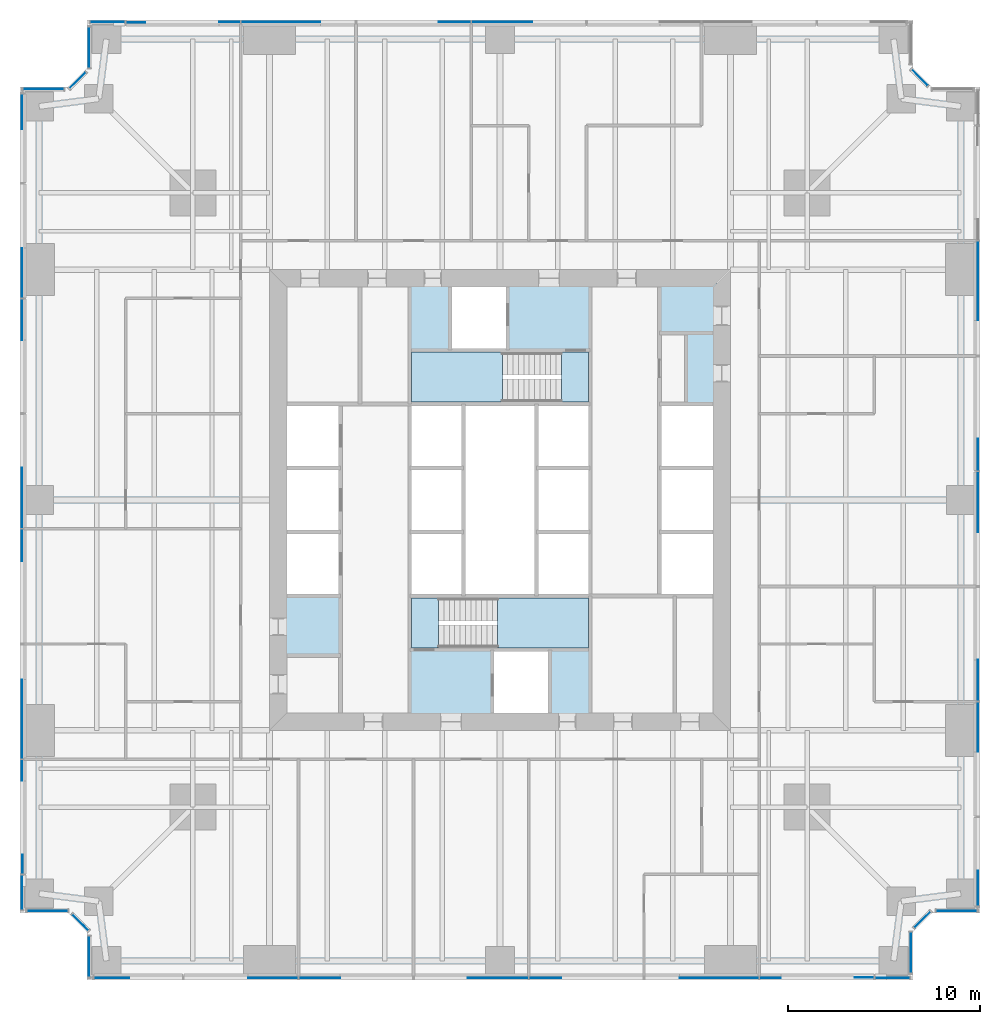
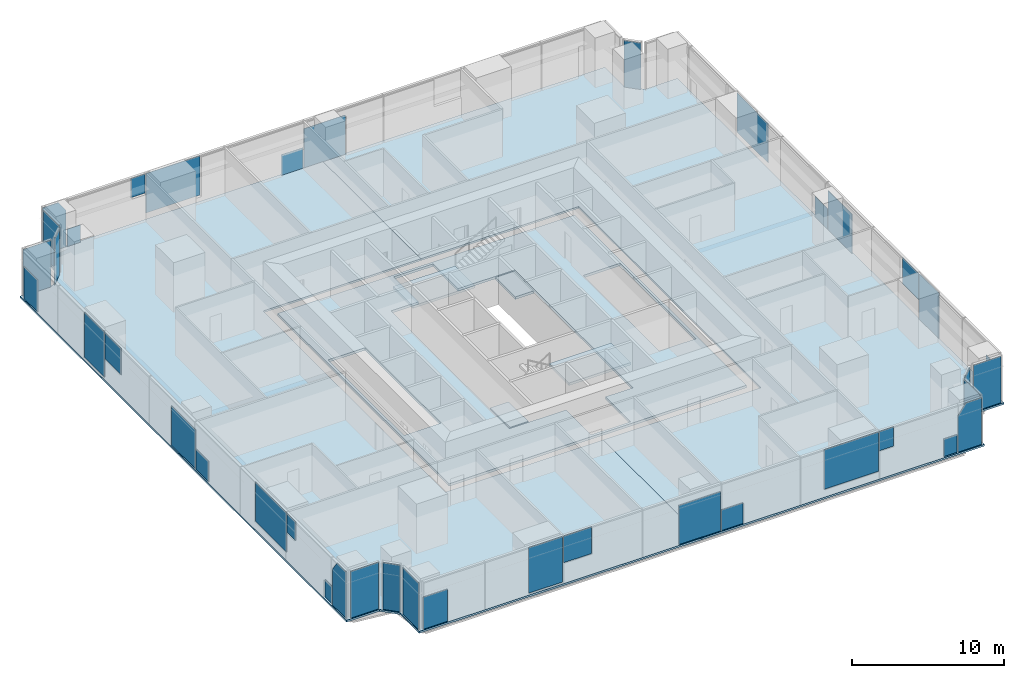
# One storey, part 8 of 14: 40 plates, 7 slabs, 16 elements without a shape of their own.
"""IFC4 building model written with IfcOpenShell, lengths in metres."""

from ifc_helpers import new_model, si_unit, direction, frame, origin, origin_2d, place, context, subcontext, project, spatial, polyline, rectangle, outline, extrude, material, layer, layer_set, type_object, element, aggregate, save


model = new_model("IFC4")

# Units and contexts
model_context = context("Model", 3, precision=1e-05, world=origin(), true_north=direction((0.0, 1.0)))
body_context = subcontext(model_context, "Body", "Model", "MODEL_VIEW")
ifc_project = project(units=[si_unit("LENGTHUNIT", "METRE"), si_unit("AREAUNIT", "SQUARE_METRE"), si_unit("VOLUMEUNIT", "CUBIC_METRE"), si_unit("PLANEANGLEUNIT", "RADIAN"), si_unit("MASSUNIT", "GRAM", prefix="KILO")], contexts=[model_context])

# Site, building, storey
site_placement = place(None, origin())
site = spatial("IfcSite", under=ifc_project, at=site_placement, CompositionType="ELEMENT")
building_placement = place(site_placement, origin())
building = spatial("IfcBuilding", under=site, at=building_placement, Name="Fenwick Lantern Interchange", CompositionType="ELEMENT")
storey_placement = place(building_placement, frame((0.0, 0.0, 59.0)))
storey = spatial("IfcBuildingStorey", under=building, at=storey_placement, Name="L13", CompositionType="ELEMENT", Elevation=59.0)

# Slabs
ifc_material_1 = material(Name="Concrete f'c 35 MPa", Category="concrete")
ifc_layer_1 = layer(ifc_material_1, 0.199951171875)
ifc_layer_set_1 = layer_set([ifc_layer_1], Name="CORE FLOOR SLAB 200")
slab_type_1 = type_object("IfcSlabType", Name="CORE FLOOR SLAB 200", PredefinedType="FLOOR", material=ifc_layer_set_1)
slab_1_placement = place(storey_placement, frame((0.0, 0.0, -0.199951171875)))
element("IfcSlab", 1, at=slab_1_placement, inside=storey, type_object=slab_type_1, Name="L13/SLAB/CORE", PredefinedType="FLOOR", context=body_context, shape_type="SweptSolid", body=[
    extrude(outline(polyline([(13.699951171875, 36.300048828125), (36.300048828125, 36.300048828125), (36.300048828125, 13.699951171875), (13.699951171875, 13.699951171875), (13.699951171875, 36.300048828125)]), holes=[polyline([(13.89990234375, 20.0), (16.699951171875, 20.0), (16.699951171875, 23.333251953125), (16.699951171875, 26.666748046875), (16.699951171875, 30.0), (13.89990234375, 30.0), (13.89990234375, 26.666748046875), (13.89990234375, 23.333251953125), (13.89990234375, 20.0)]), polyline([(20.300048828125, 20.0), (20.300048828125, 17.199951171875), (24.60009765625, 17.199951171875), (24.60009765625, 13.89990234375), (27.60009765625, 13.89990234375), (27.60009765625, 17.199951171875), (29.699951171875, 17.199951171875), (29.699951171875, 20.0), (29.699951171875, 23.333251953125), (29.699951171875, 26.666748046875), (29.699951171875, 30.0), (29.699951171875, 32.800048828125), (25.39990234375, 32.800048828125), (25.39990234375, 36.10009765625), (22.39990234375, 36.10009765625), (22.39990234375, 32.800048828125), (20.300048828125, 32.800048828125), (20.300048828125, 30.0), (20.300048828125, 26.666748046875), (20.300048828125, 23.333251953125), (20.300048828125, 20.0)]), polyline([(33.300048828125, 23.333251953125), (33.300048828125, 20.0), (36.10009765625, 20.0), (36.10009765625, 23.333251953125), (36.10009765625, 26.666748046875), (36.10009765625, 30.0), (33.300048828125, 30.0), (33.300048828125, 26.666748046875), (33.300048828125, 23.333251953125)])]), origin(), (0.0, 0.0, 1.0), 0.199951171875),
])
ifc_material_2 = material(Name="Concrete f'c 35 MPa", Category="concrete")
ifc_layer_2 = layer(ifc_material_2, 0.14990234375)
ifc_layer_set_2 = layer_set([ifc_layer_2], Name="Concrete f'c 35 MPa")
slab_type_2 = type_object("IfcSlabType", Name="FLOOR SLAB 150", PredefinedType="FLOOR", material=ifc_layer_set_2)
slab_2_placement = place(storey_placement, frame((0.0, 0.0, -0.14990234375)))
element("IfcSlab", 2, at=slab_2_placement, inside=storey, type_object=slab_type_2, Name="L13/SLAB/FW", PredefinedType="FLOOR", context=body_context, shape_type="SweptSolid", body=[
    extrude(outline(polyline([(3.5, 0.0), (3.5, 2.5), (2.5, 3.5), (0.0, 3.5), (0.0, 46.5), (2.5, 46.5), (3.5, 47.5), (3.5, 50.0), (25.0, 50.0), (25.0, 37.0), (13.0, 37.0), (13.0, 13.0), (25.0, 13.0), (25.0, 0.0), (3.5, 0.0)])), origin(), (0.0, 0.0, 1.0), 0.14990234375),
])
slab_3_placement = place(storey_placement, frame((0.0, 0.0, -0.14990234375)))
element("IfcSlab", 3, at=slab_3_placement, inside=storey, type_object=slab_type_2, Name="L13/SLAB/FE", PredefinedType="FLOOR", context=body_context, shape_type="SweptSolid", body=[
    extrude(outline(polyline([(46.5, 50.0), (46.5, 47.5), (47.5, 46.5), (50.0, 46.5), (50.0, 3.5), (47.5, 3.5), (46.5, 2.5), (46.5, 0.0), (25.0, 0.0), (25.0, 13.0), (37.0, 13.0), (37.0, 37.0), (25.0, 37.0), (25.0, 50.0), (46.5, 50.0)])), origin(), (0.0, 0.0, 1.0), 0.14990234375),
])

# Curtain wall, plates
ifc_material_3 = material(Name="Aluminium curtain wall frame", Category="aluminium")
curtain_wall_type = type_object("IfcCurtainWallType", Name="OFFICE CURTAIN WALL", PredefinedType="USERDEFINED", material=ifc_material_3)
curtain_wall_1_placement = place(storey_placement, origin())
curtain_wall_1 = element("IfcCurtainWall", 4, at=curtain_wall_1_placement, inside=storey, type_object=curtain_wall_type, Name="Office curtain wall 01", ObjectType="OFFICE CURTAIN WALL", PredefinedType="USERDEFINED")
ifc_material_4 = material(Name="Vision glass, clear low-iron double glazed", Category="glass")
ifc_layer_3 = layer(ifc_material_4, 0.031982421875)
ifc_layer_set_3 = layer_set([ifc_layer_3], Name="OFFICE CURTAIN WALL PANEL 32")
plate_type = type_object("IfcPlateType", Name="OFFICE CURTAIN WALL PANEL 32", PredefinedType="CURTAIN_PANEL", material=ifc_layer_set_3)
plate_1_placement = place(storey_placement, frame((3.60009765625, 0.10009765625, 0.0), z_axis=(0.0, 0.0, 1.0), x_axis=(1.0, 0.0, 0.0)))
plate_1 = element("IfcPlate", 5, at=plate_1_placement, type_object=plate_type, Name="L13/CW/01/P00a", PredefinedType="CURTAIN_PANEL", context=body_context, shape_type="SweptSolid", body=[
    extrude(outline(polyline([(0.264892578125, 0.0), (2.10009765625, 0.0), (2.10009765625, 2.585693359375), (0.264892578125, 2.585693359375), (0.264892578125, 0.0)])), frame((0.0, 0.01611328125, 0.0), z_axis=(0.0, -1.0, 0.0), x_axis=(1.0, 0.0, 0.0)), (0.0, 0.0, 1.0), 0.031982421875),
])
plate_2_placement = place(storey_placement, frame((3.60009765625, 0.10009765625, 0.093505859375), z_axis=(0.0, 0.0, 1.0), x_axis=(1.0, 0.0, 0.0)))
plate_2 = element("IfcPlate", 6, at=plate_2_placement, type_object=plate_type, Name="L13/CW/01/P01a", PredefinedType="CURTAIN_PANEL", context=body_context, shape_type="SweptSolid", body=[
    extrude(outline(polyline([(8.277099609375, 0.0), (10.867431640625, 0.0), (10.867431640625, 3.656494140625), (8.277099609375, 3.656494140625), (8.277099609375, 0.0)])), frame((0.0, 0.01611328125, 0.0), z_axis=(0.0, -1.0, 0.0), x_axis=(1.0, 0.0, 0.0)), (0.0, 0.0, 1.0), 0.031982421875),
])
plate_3_placement = place(storey_placement, frame((3.60009765625, 0.10009765625, 1.612060546875), z_axis=(0.0, 0.0, 1.0), x_axis=(1.0, 0.0, 0.0)))
plate_3 = element("IfcPlate", 7, at=plate_3_placement, type_object=plate_type, Name="L13/CW/01/P02a", PredefinedType="CURTAIN_PANEL", context=body_context, shape_type="SweptSolid", body=[
    extrude(outline(polyline([(10.9326171875, 0.0), (13.072509765625, 0.0), (13.072509765625, 2.137939453125), (10.9326171875, 2.137939453125), (10.9326171875, 0.0)])), frame((0.0, 0.01611328125, 0.0), z_axis=(0.0, -1.0, 0.0), x_axis=(1.0, 0.0, 0.0)), (0.0, 0.0, 1.0), 0.031982421875),
])
plate_4_placement = place(storey_placement, frame((3.60009765625, 0.10009765625, 0.0), z_axis=(0.0, 0.0, 1.0), x_axis=(1.0, 0.0, 0.0)))
plate_4 = element("IfcPlate", 8, at=plate_4_placement, type_object=plate_type, Name="L13/CW/01/P03a", PredefinedType="CURTAIN_PANEL", context=body_context, shape_type="SweptSolid", body=[
    extrude(outline(polyline([(19.70751953125, 0.0), (22.867431640625, 0.0), (22.867431640625, 3.156005859375), (19.70751953125, 3.156005859375), (19.70751953125, 0.0)])), frame((0.0, 0.01611328125, 0.0), z_axis=(0.0, -1.0, 0.0), x_axis=(1.0, 0.0, 0.0)), (0.0, 0.0, 1.0), 0.031982421875),
])
plate_5_placement = place(storey_placement, frame((3.60009765625, 0.10009765625, 0.0), z_axis=(0.0, 0.0, 1.0), x_axis=(1.0, 0.0, 0.0)))
plate_5 = element("IfcPlate", 9, at=plate_5_placement, type_object=plate_type, Name="L13/CW/01/P04a", PredefinedType="CURTAIN_PANEL", context=body_context, shape_type="SweptSolid", body=[
    extrude(outline(polyline([(22.9326171875, 0.0), (24.592529296875, 0.0), (24.592529296875, 1.656005859375), (22.9326171875, 1.656005859375), (22.9326171875, 0.0)])), frame((0.0, 0.01611328125, 0.0), z_axis=(0.0, -1.0, 0.0), x_axis=(1.0, 0.0, 0.0)), (0.0, 0.0, 1.0), 0.031982421875),
])
plate_6_placement = place(storey_placement, frame((3.60009765625, 0.10009765625, 0.58203125), z_axis=(0.0, 0.0, 1.0), x_axis=(1.0, 0.0, 0.0)))
plate_6 = element("IfcPlate", 10, at=plate_6_placement, type_object=plate_type, Name="L13/CW/01/P05a", PredefinedType="CURTAIN_PANEL", context=body_context, shape_type="SweptSolid", body=[
    extrude(outline(polyline([(30.757568359375, 0.0), (34.867431640625, 0.0), (34.867431640625, 3.16796875), (30.757568359375, 3.16796875), (30.757568359375, 0.0)])), frame((0.0, 0.01611328125, 0.0), z_axis=(0.0, -1.0, 0.0), x_axis=(1.0, 0.0, 0.0)), (0.0, 0.0, 1.0), 0.031982421875),
])
plate_7_placement = place(storey_placement, frame((3.60009765625, 0.10009765625, 2.21044921875), z_axis=(0.0, 0.0, 1.0), x_axis=(1.0, 0.0, 0.0)))
plate_7 = element("IfcPlate", 11, at=plate_7_placement, type_object=plate_type, Name="L13/CW/01/P06a", PredefinedType="CURTAIN_PANEL", context=body_context, shape_type="SweptSolid", body=[
    extrude(outline(polyline([(34.9326171875, 0.0), (36.0224609375, 0.0), (36.0224609375, 1.53955078125), (34.9326171875, 1.53955078125), (34.9326171875, 0.0)])), frame((0.0, 0.01611328125, 0.0), z_axis=(0.0, -1.0, 0.0), x_axis=(1.0, 0.0, 0.0)), (0.0, 0.0, 1.0), 0.031982421875),
])
plate_8_placement = place(storey_placement, frame((3.60009765625, 0.10009765625, 0.0), z_axis=(0.0, 0.0, 1.0), x_axis=(1.0, 0.0, 0.0)))
plate_8 = element("IfcPlate", 12, at=plate_8_placement, type_object=plate_type, Name="L13/CW/01/P06b", PredefinedType="CURTAIN_PANEL", context=body_context, shape_type="SweptSolid", body=[
    extrude(outline(polyline([(39.868408203125, 0.0), (40.867431640625, 0.0), (40.867431640625, 1.411865234375), (39.868408203125, 1.411865234375), (39.868408203125, 0.0)])), frame((0.0, 0.0498046875, 0.0), z_axis=(0.0, -1.0, 0.0), x_axis=(1.0, 0.0, 0.0)), (0.0, 0.0, 1.0), 0.031982421875),
])
plate_9_placement = place(storey_placement, frame((3.60009765625, 0.10009765625, 0.0), z_axis=(0.0, 0.0, 1.0), x_axis=(1.0, 0.0, 0.0)))
plate_9 = element("IfcPlate", 13, at=plate_9_placement, type_object=plate_type, Name="L13/CW/01/P07a", PredefinedType="CURTAIN_PANEL", context=body_context, shape_type="SweptSolid", body=[
    extrude(outline(polyline([(40.9326171875, 0.0), (42.735107421875, 0.0), (42.735107421875, 3.75), (41.524658203125, 3.75), (40.9326171875, 2.9140625), (40.9326171875, 0.0)])), frame((0.0, 0.01611328125, 0.0), z_axis=(0.0, -1.0, 0.0), x_axis=(1.0, 0.0, 0.0)), (0.0, 0.0, 1.0), 0.031982421875),
])
aggregate(curtain_wall_1, [plate_1, plate_2, plate_3, plate_4, plate_5, plate_6, plate_7, plate_8, plate_9])

# Curtain wall, plate
curtain_wall_2_placement = place(storey_placement, origin())
curtain_wall_2 = element("IfcCurtainWall", 14, at=curtain_wall_2_placement, inside=storey, type_object=curtain_wall_type, Name="Office curtain wall 02", ObjectType="OFFICE CURTAIN WALL", PredefinedType="USERDEFINED")
plate_10_placement = place(storey_placement, frame((46.39990234375, 1.420654296875, 0.0), z_axis=(0.0, 0.0, 1.0), x_axis=(0.0, 1.0, 0.0)))
plate_10 = element("IfcPlate", 15, at=plate_10_placement, type_object=plate_type, Name="L13/CW/02/P00", PredefinedType="CURTAIN_PANEL", context=body_context, shape_type="SweptSolid", body=[
    extrude(rectangle(XDim=2.111328125, YDim=0.031982421875, at=origin_2d()), origin(), (0.0, 0.0, 1.0), 3.75),
])
aggregate(curtain_wall_2, [plate_10])

curtain_wall_3_placement = place(storey_placement, origin())
curtain_wall_3 = element("IfcCurtainWall", 16, at=curtain_wall_3_placement, inside=storey, type_object=curtain_wall_type, Name="Office curtain wall 03", ObjectType="OFFICE CURTAIN WALL", PredefinedType="USERDEFINED")
plate_11_placement = place(storey_placement, frame((47.0, 3.141357421875, 0.0), z_axis=(0.0, 0.0, 1.0), x_axis=(0.707106781187, 0.707106781187, 0.0)))
plate_11 = element("IfcPlate", 17, at=plate_11_placement, type_object=plate_type, Name="L13/CW/03/P00", PredefinedType="CURTAIN_PANEL", context=body_context, shape_type="SweptSolid", body=[
    extrude(rectangle(XDim=1.1669921875, YDim=0.031982421875, at=origin_2d()), origin(), (0.0, 0.0, 1.0), 3.75),
])
aggregate(curtain_wall_3, [plate_11])

curtain_wall_4_placement = place(storey_placement, origin())
curtain_wall_4 = element("IfcCurtainWall", 18, at=curtain_wall_4_placement, inside=storey, type_object=curtain_wall_type, Name="Office curtain wall 04", ObjectType="OFFICE CURTAIN WALL", PredefinedType="USERDEFINED")
plate_12_placement = place(storey_placement, frame((48.779296875, 3.60009765625, 0.0), z_axis=(0.0, 0.0, 1.0), x_axis=(1.0, 0.0, 0.0)))
plate_12 = element("IfcPlate", 19, at=plate_12_placement, type_object=plate_type, Name="L13/CW/04/P00", PredefinedType="CURTAIN_PANEL", context=body_context, shape_type="SweptSolid", body=[
    extrude(rectangle(XDim=2.111328125, YDim=0.031982421875, at=origin_2d()), origin(), (0.0, 0.0, 1.0), 3.75),
])
aggregate(curtain_wall_4, [plate_12])

# Curtain wall, plates
curtain_wall_5_placement = place(storey_placement, origin())
curtain_wall_5 = element("IfcCurtainWall", 20, at=curtain_wall_5_placement, inside=storey, type_object=curtain_wall_type, Name="Office curtain wall 05", ObjectType="OFFICE CURTAIN WALL", PredefinedType="USERDEFINED")
plate_13_placement = place(storey_placement, frame((49.89990234375, 3.60009765625, 0.0), z_axis=(0.0, 0.0, 1.0), x_axis=(0.0, 1.0, 0.0)))
plate_13 = element("IfcPlate", 21, at=plate_13_placement, type_object=plate_type, Name="L13/CW/05/P00a", PredefinedType="CURTAIN_PANEL", context=body_context, shape_type="SweptSolid", body=[
    extrude(outline(polyline([(0.264892578125, 0.0), (2.10009765625, 0.0), (2.10009765625, 2.585693359375), (0.264892578125, 2.585693359375), (0.264892578125, 0.0)])), frame((0.0, 0.01611328125, 0.0), z_axis=(0.0, -1.0, 0.0), x_axis=(1.0, 0.0, 0.0)), (0.0, 0.0, 1.0), 0.031982421875),
])
plate_14_placement = place(storey_placement, frame((49.89990234375, 3.60009765625, 0.093505859375), z_axis=(0.0, 0.0, 1.0), x_axis=(0.0, 1.0, 0.0)))
plate_14 = element("IfcPlate", 22, at=plate_14_placement, type_object=plate_type, Name="L13/CW/05/P01a", PredefinedType="CURTAIN_PANEL", context=body_context, shape_type="SweptSolid", body=[
    extrude(outline(polyline([(8.277099609375, 0.0), (10.867431640625, 0.0), (10.867431640625, 3.656494140625), (8.277099609375, 3.656494140625), (8.277099609375, 0.0)])), frame((0.0, 0.01611328125, 0.0), z_axis=(0.0, -1.0, 0.0), x_axis=(1.0, 0.0, 0.0)), (0.0, 0.0, 1.0), 0.031982421875),
])
plate_15_placement = place(storey_placement, frame((49.89990234375, 3.60009765625, 1.612060546875), z_axis=(0.0, 0.0, 1.0), x_axis=(0.0, 1.0, 0.0)))
plate_15 = element("IfcPlate", 23, at=plate_15_placement, type_object=plate_type, Name="L13/CW/05/P02a", PredefinedType="CURTAIN_PANEL", context=body_context, shape_type="SweptSolid", body=[
    extrude(outline(polyline([(10.9326171875, 0.0), (13.072509765625, 0.0), (13.072509765625, 2.137939453125), (10.9326171875, 2.137939453125), (10.9326171875, 0.0)])), frame((0.0, 0.01611328125, 0.0), z_axis=(0.0, -1.0, 0.0), x_axis=(1.0, 0.0, 0.0)), (0.0, 0.0, 1.0), 0.031982421875),
])
plate_16_placement = place(storey_placement, frame((49.89990234375, 3.60009765625, 0.0), z_axis=(0.0, 0.0, 1.0), x_axis=(0.0, 1.0, 0.0)))
plate_16 = element("IfcPlate", 24, at=plate_16_placement, type_object=plate_type, Name="L13/CW/05/P03a", PredefinedType="CURTAIN_PANEL", context=body_context, shape_type="SweptSolid", body=[
    extrude(outline(polyline([(19.70751953125, 0.0), (22.867431640625, 0.0), (22.867431640625, 3.156005859375), (19.70751953125, 3.156005859375), (19.70751953125, 0.0)])), frame((0.0, 0.01611328125, 0.0), z_axis=(0.0, -1.0, 0.0), x_axis=(1.0, 0.0, 0.0)), (0.0, 0.0, 1.0), 0.031982421875),
])
plate_17_placement = place(storey_placement, frame((49.89990234375, 3.60009765625, 0.0), z_axis=(0.0, 0.0, 1.0), x_axis=(0.0, 1.0, 0.0)))
plate_17 = element("IfcPlate", 25, at=plate_17_placement, type_object=plate_type, Name="L13/CW/05/P04a", PredefinedType="CURTAIN_PANEL", context=body_context, shape_type="SweptSolid", body=[
    extrude(outline(polyline([(22.9326171875, 0.0), (24.592529296875, 0.0), (24.592529296875, 1.656005859375), (22.9326171875, 1.656005859375), (22.9326171875, 0.0)])), frame((0.0, 0.01611328125, 0.0), z_axis=(0.0, -1.0, 0.0), x_axis=(1.0, 0.0, 0.0)), (0.0, 0.0, 1.0), 0.031982421875),
])
plate_18_placement = place(storey_placement, frame((49.89990234375, 3.60009765625, 0.58203125), z_axis=(0.0, 0.0, 1.0), x_axis=(0.0, 1.0, 0.0)))
plate_18 = element("IfcPlate", 26, at=plate_18_placement, type_object=plate_type, Name="L13/CW/05/P05a", PredefinedType="CURTAIN_PANEL", context=body_context, shape_type="SweptSolid", body=[
    extrude(outline(polyline([(30.757568359375, 0.0), (34.867431640625, 0.0), (34.867431640625, 3.16796875), (30.757568359375, 3.16796875), (30.757568359375, 0.0)])), frame((0.0, 0.01611328125, 0.0), z_axis=(0.0, -1.0, 0.0), x_axis=(1.0, 0.0, 0.0)), (0.0, 0.0, 1.0), 0.031982421875),
])
aggregate(curtain_wall_5, [plate_13, plate_14, plate_15, plate_16, plate_17, plate_18])

# Curtain wall, plate
curtain_wall_6_placement = place(storey_placement, origin())
curtain_wall_6 = element("IfcCurtainWall", 27, at=curtain_wall_6_placement, inside=storey, type_object=curtain_wall_type, Name="Office curtain wall 07", ObjectType="OFFICE CURTAIN WALL", PredefinedType="USERDEFINED")
plate_19_placement = place(storey_placement, frame((46.858642578125, 47.0, 0.0), z_axis=(0.0, 0.0, 1.0), x_axis=(-0.707106781187, 0.707106781187, 0.0)))
plate_19 = element("IfcPlate", 28, at=plate_19_placement, type_object=plate_type, Name="L13/CW/07/P00", PredefinedType="CURTAIN_PANEL", context=body_context, shape_type="SweptSolid", body=[
    extrude(rectangle(XDim=1.1669921875, YDim=0.031982421875, at=origin_2d()), origin(), (0.0, 0.0, 1.0), 3.75),
])
aggregate(curtain_wall_6, [plate_19])

# Curtain wall, plates
curtain_wall_7_placement = place(storey_placement, origin())
curtain_wall_7 = element("IfcCurtainWall", 29, at=curtain_wall_7_placement, inside=storey, type_object=curtain_wall_type, Name="Office curtain wall 09", ObjectType="OFFICE CURTAIN WALL", PredefinedType="USERDEFINED")
plate_20_placement = place(storey_placement, frame((46.39990234375, 49.89990234375, 0.0), z_axis=(0.0, 0.0, 1.0), x_axis=(-1.0, 0.0, 0.0)))
plate_20 = element("IfcPlate", 30, at=plate_20_placement, type_object=plate_type, Name="L13/CW/09/P03a", PredefinedType="CURTAIN_PANEL", context=body_context, shape_type="SweptSolid", body=[
    extrude(outline(polyline([(19.70751953125, 0.0), (22.867431640625, 0.0), (22.867431640625, 3.156005859375), (19.70751953125, 3.156005859375), (19.70751953125, 0.0)])), frame((0.0, 0.01611328125, 0.0), z_axis=(0.0, -1.0, 0.0), x_axis=(1.0, 0.0, 0.0)), (0.0, 0.0, 1.0), 0.031982421875),
])
plate_21_placement = place(storey_placement, frame((46.39990234375, 49.89990234375, 0.0), z_axis=(0.0, 0.0, 1.0), x_axis=(-1.0, 0.0, 0.0)))
plate_21 = element("IfcPlate", 31, at=plate_21_placement, type_object=plate_type, Name="L13/CW/09/P04a", PredefinedType="CURTAIN_PANEL", context=body_context, shape_type="SweptSolid", body=[
    extrude(outline(polyline([(22.9326171875, 0.0), (24.592529296875, 0.0), (24.592529296875, 1.656005859375), (22.9326171875, 1.656005859375), (22.9326171875, 0.0)])), frame((0.0, 0.01611328125, 0.0), z_axis=(0.0, -1.0, 0.0), x_axis=(1.0, 0.0, 0.0)), (0.0, 0.0, 1.0), 0.031982421875),
])
plate_22_placement = place(storey_placement, frame((46.39990234375, 49.89990234375, 0.58203125), z_axis=(0.0, 0.0, 1.0), x_axis=(-1.0, 0.0, 0.0)))
plate_22 = element("IfcPlate", 32, at=plate_22_placement, type_object=plate_type, Name="L13/CW/09/P05a", PredefinedType="CURTAIN_PANEL", context=body_context, shape_type="SweptSolid", body=[
    extrude(outline(polyline([(30.757568359375, 0.0), (34.867431640625, 0.0), (34.867431640625, 3.16796875), (30.757568359375, 3.16796875), (30.757568359375, 0.0)])), frame((0.0, 0.01611328125, 0.0), z_axis=(0.0, -1.0, 0.0), x_axis=(1.0, 0.0, 0.0)), (0.0, 0.0, 1.0), 0.031982421875),
])
plate_23_placement = place(storey_placement, frame((46.39990234375, 49.89990234375, 2.21044921875), z_axis=(0.0, 0.0, 1.0), x_axis=(-1.0, 0.0, 0.0)))
plate_23 = element("IfcPlate", 33, at=plate_23_placement, type_object=plate_type, Name="L13/CW/09/P06a", PredefinedType="CURTAIN_PANEL", context=body_context, shape_type="SweptSolid", body=[
    extrude(outline(polyline([(34.9326171875, 0.0), (36.0224609375, 0.0), (36.0224609375, 1.53955078125), (34.9326171875, 1.53955078125), (34.9326171875, 0.0)])), frame((0.0, 0.01611328125, 0.0), z_axis=(0.0, -1.0, 0.0), x_axis=(1.0, 0.0, 0.0)), (0.0, 0.0, 1.0), 0.031982421875),
])
plate_24_placement = place(storey_placement, frame((46.39990234375, 49.89990234375, 0.0), z_axis=(0.0, 0.0, 1.0), x_axis=(-1.0, 0.0, 0.0)))
plate_24 = element("IfcPlate", 34, at=plate_24_placement, type_object=plate_type, Name="L13/CW/09/P06b", PredefinedType="CURTAIN_PANEL", context=body_context, shape_type="SweptSolid", body=[
    extrude(outline(polyline([(39.868408203125, 0.0), (40.867431640625, 0.0), (40.867431640625, 1.411865234375), (39.868408203125, 1.411865234375), (39.868408203125, 0.0)])), frame((0.0, 0.0498046875, 0.0), z_axis=(0.0, -1.0, 0.0), x_axis=(1.0, 0.0, 0.0)), (0.0, 0.0, 1.0), 0.031982421875),
])
plate_25_placement = place(storey_placement, frame((46.39990234375, 49.89990234375, 0.0), z_axis=(0.0, 0.0, 1.0), x_axis=(-1.0, 0.0, 0.0)))
plate_25 = element("IfcPlate", 35, at=plate_25_placement, type_object=plate_type, Name="L13/CW/09/P07a", PredefinedType="CURTAIN_PANEL", context=body_context, shape_type="SweptSolid", body=[
    extrude(outline(polyline([(40.9326171875, 0.0), (42.735107421875, 0.0), (42.735107421875, 3.75), (41.524658203125, 3.75), (40.9326171875, 2.9140625), (40.9326171875, 0.0)])), frame((0.0, 0.01611328125, 0.0), z_axis=(0.0, -1.0, 0.0), x_axis=(1.0, 0.0, 0.0)), (0.0, 0.0, 1.0), 0.031982421875),
])
aggregate(curtain_wall_7, [plate_20, plate_21, plate_22, plate_23, plate_24, plate_25])

# Curtain wall, plate
curtain_wall_8_placement = place(storey_placement, origin())
curtain_wall_8 = element("IfcCurtainWall", 36, at=curtain_wall_8_placement, inside=storey, type_object=curtain_wall_type, Name="Office curtain wall 10", ObjectType="OFFICE CURTAIN WALL", PredefinedType="USERDEFINED")
plate_26_placement = place(storey_placement, frame((3.60009765625, 48.579345703125, 0.0), z_axis=(0.0, 0.0, 1.0), x_axis=(0.0, -1.0, 0.0)))
plate_26 = element("IfcPlate", 37, at=plate_26_placement, type_object=plate_type, Name="L13/CW/10/P00", PredefinedType="CURTAIN_PANEL", context=body_context, shape_type="SweptSolid", body=[
    extrude(rectangle(XDim=2.111328125, YDim=0.031982421875, at=origin_2d()), origin(), (0.0, 0.0, 1.0), 3.75),
])
aggregate(curtain_wall_8, [plate_26])

curtain_wall_9_placement = place(storey_placement, origin())
curtain_wall_9 = element("IfcCurtainWall", 38, at=curtain_wall_9_placement, inside=storey, type_object=curtain_wall_type, Name="Office curtain wall 11", ObjectType="OFFICE CURTAIN WALL", PredefinedType="USERDEFINED")
plate_27_placement = place(storey_placement, frame((3.0, 46.858642578125, 0.0), z_axis=(0.0, 0.0, 1.0), x_axis=(-0.707106781187, -0.707106781187, 0.0)))
plate_27 = element("IfcPlate", 39, at=plate_27_placement, type_object=plate_type, Name="L13/CW/11/P00", PredefinedType="CURTAIN_PANEL", context=body_context, shape_type="SweptSolid", body=[
    extrude(rectangle(XDim=1.1669921875, YDim=0.031982421875, at=origin_2d()), origin(), (0.0, 0.0, 1.0), 3.75),
])
aggregate(curtain_wall_9, [plate_27])

curtain_wall_10_placement = place(storey_placement, origin())
curtain_wall_10 = element("IfcCurtainWall", 40, at=curtain_wall_10_placement, inside=storey, type_object=curtain_wall_type, Name="Office curtain wall 12", ObjectType="OFFICE CURTAIN WALL", PredefinedType="USERDEFINED")
plate_28_placement = place(storey_placement, frame((1.220703125, 46.39990234375, 0.0), z_axis=(0.0, 0.0, 1.0), x_axis=(-1.0, 0.0, 0.0)))
plate_28 = element("IfcPlate", 41, at=plate_28_placement, type_object=plate_type, Name="L13/CW/12/P00", PredefinedType="CURTAIN_PANEL", context=body_context, shape_type="SweptSolid", body=[
    extrude(rectangle(XDim=2.111328125, YDim=0.031982421875, at=origin_2d()), origin(), (0.0, 0.0, 1.0), 3.75),
])
aggregate(curtain_wall_10, [plate_28])

# Curtain wall, plates
curtain_wall_11_placement = place(storey_placement, origin())
curtain_wall_11 = element("IfcCurtainWall", 42, at=curtain_wall_11_placement, inside=storey, type_object=curtain_wall_type, Name="Office curtain wall 13", ObjectType="OFFICE CURTAIN WALL", PredefinedType="USERDEFINED")
plate_29_placement = place(storey_placement, frame((0.10009765625, 46.39990234375, 0.0), z_axis=(0.0, 0.0, 1.0), x_axis=(0.0, -1.0, 0.0)))
plate_29 = element("IfcPlate", 43, at=plate_29_placement, type_object=plate_type, Name="L13/CW/13/P00a", PredefinedType="CURTAIN_PANEL", context=body_context, shape_type="SweptSolid", body=[
    extrude(outline(polyline([(0.264892578125, 0.0), (2.10009765625, 0.0), (2.10009765625, 2.585693359375), (0.264892578125, 2.585693359375), (0.264892578125, 0.0)])), frame((0.0, 0.01611328125, 0.0), z_axis=(0.0, -1.0, 0.0), x_axis=(1.0, 0.0, 0.0)), (0.0, 0.0, 1.0), 0.031982421875),
])
plate_30_placement = place(storey_placement, frame((0.10009765625, 46.39990234375, 0.093505859375), z_axis=(0.0, 0.0, 1.0), x_axis=(0.0, -1.0, 0.0)))
plate_30 = element("IfcPlate", 44, at=plate_30_placement, type_object=plate_type, Name="L13/CW/13/P01a", PredefinedType="CURTAIN_PANEL", context=body_context, shape_type="SweptSolid", body=[
    extrude(outline(polyline([(8.277099609375, 0.0), (10.867431640625, 0.0), (10.867431640625, 3.656494140625), (8.277099609375, 3.656494140625), (8.277099609375, 0.0)])), frame((0.0, 0.01611328125, 0.0), z_axis=(0.0, -1.0, 0.0), x_axis=(1.0, 0.0, 0.0)), (0.0, 0.0, 1.0), 0.031982421875),
])
plate_31_placement = place(storey_placement, frame((0.10009765625, 46.39990234375, 1.612060546875), z_axis=(0.0, 0.0, 1.0), x_axis=(0.0, -1.0, 0.0)))
plate_31 = element("IfcPlate", 45, at=plate_31_placement, type_object=plate_type, Name="L13/CW/13/P02a", PredefinedType="CURTAIN_PANEL", context=body_context, shape_type="SweptSolid", body=[
    extrude(outline(polyline([(10.9326171875, 0.0), (13.072509765625, 0.0), (13.072509765625, 2.137939453125), (10.9326171875, 2.137939453125), (10.9326171875, 0.0)])), frame((0.0, 0.01611328125, 0.0), z_axis=(0.0, -1.0, 0.0), x_axis=(1.0, 0.0, 0.0)), (0.0, 0.0, 1.0), 0.031982421875),
])
plate_32_placement = place(storey_placement, frame((0.10009765625, 46.39990234375, 0.0), z_axis=(0.0, 0.0, 1.0), x_axis=(0.0, -1.0, 0.0)))
plate_32 = element("IfcPlate", 46, at=plate_32_placement, type_object=plate_type, Name="L13/CW/13/P03a", PredefinedType="CURTAIN_PANEL", context=body_context, shape_type="SweptSolid", body=[
    extrude(outline(polyline([(19.70751953125, 0.0), (22.867431640625, 0.0), (22.867431640625, 3.156005859375), (19.70751953125, 3.156005859375), (19.70751953125, 0.0)])), frame((0.0, 0.01611328125, 0.0), z_axis=(0.0, -1.0, 0.0), x_axis=(1.0, 0.0, 0.0)), (0.0, 0.0, 1.0), 0.031982421875),
])
plate_33_placement = place(storey_placement, frame((0.10009765625, 46.39990234375, 0.0), z_axis=(0.0, 0.0, 1.0), x_axis=(0.0, -1.0, 0.0)))
plate_33 = element("IfcPlate", 47, at=plate_33_placement, type_object=plate_type, Name="L13/CW/13/P04a", PredefinedType="CURTAIN_PANEL", context=body_context, shape_type="SweptSolid", body=[
    extrude(outline(polyline([(22.9326171875, 0.0), (24.592529296875, 0.0), (24.592529296875, 1.656005859375), (22.9326171875, 1.656005859375), (22.9326171875, 0.0)])), frame((0.0, 0.01611328125, 0.0), z_axis=(0.0, -1.0, 0.0), x_axis=(1.0, 0.0, 0.0)), (0.0, 0.0, 1.0), 0.031982421875),
])
plate_34_placement = place(storey_placement, frame((0.10009765625, 46.39990234375, 0.58203125), z_axis=(0.0, 0.0, 1.0), x_axis=(0.0, -1.0, 0.0)))
plate_34 = element("IfcPlate", 48, at=plate_34_placement, type_object=plate_type, Name="L13/CW/13/P05a", PredefinedType="CURTAIN_PANEL", context=body_context, shape_type="SweptSolid", body=[
    extrude(outline(polyline([(30.757568359375, 0.0), (34.867431640625, 0.0), (34.867431640625, 3.16796875), (30.757568359375, 3.16796875), (30.757568359375, 0.0)])), frame((0.0, 0.01611328125, 0.0), z_axis=(0.0, -1.0, 0.0), x_axis=(1.0, 0.0, 0.0)), (0.0, 0.0, 1.0), 0.031982421875),
])
plate_35_placement = place(storey_placement, frame((0.10009765625, 46.39990234375, 2.21044921875), z_axis=(0.0, 0.0, 1.0), x_axis=(0.0, -1.0, 0.0)))
plate_35 = element("IfcPlate", 49, at=plate_35_placement, type_object=plate_type, Name="L13/CW/13/P06a", PredefinedType="CURTAIN_PANEL", context=body_context, shape_type="SweptSolid", body=[
    extrude(outline(polyline([(34.9326171875, 0.0), (36.0224609375, 0.0), (36.0224609375, 1.53955078125), (34.9326171875, 1.53955078125), (34.9326171875, 0.0)])), frame((0.0, 0.01611328125, 0.0), z_axis=(0.0, -1.0, 0.0), x_axis=(1.0, 0.0, 0.0)), (0.0, 0.0, 1.0), 0.031982421875),
])
plate_36_placement = place(storey_placement, frame((0.10009765625, 46.39990234375, 0.0), z_axis=(0.0, 0.0, 1.0), x_axis=(0.0, -1.0, 0.0)))
plate_36 = element("IfcPlate", 50, at=plate_36_placement, type_object=plate_type, Name="L13/CW/13/P06b", PredefinedType="CURTAIN_PANEL", context=body_context, shape_type="SweptSolid", body=[
    extrude(outline(polyline([(39.868408203125, 0.0), (40.867431640625, 0.0), (40.867431640625, 1.411865234375), (39.868408203125, 1.411865234375), (39.868408203125, 0.0)])), frame((0.0, 0.0498046875, 0.0), z_axis=(0.0, -1.0, 0.0), x_axis=(1.0, 0.0, 0.0)), (0.0, 0.0, 1.0), 0.031982421875),
])
plate_37_placement = place(storey_placement, frame((0.10009765625, 46.39990234375, 0.0), z_axis=(0.0, 0.0, 1.0), x_axis=(0.0, -1.0, 0.0)))
plate_37 = element("IfcPlate", 51, at=plate_37_placement, type_object=plate_type, Name="L13/CW/13/P07a", PredefinedType="CURTAIN_PANEL", context=body_context, shape_type="SweptSolid", body=[
    extrude(outline(polyline([(40.9326171875, 0.0), (42.735107421875, 0.0), (42.735107421875, 3.75), (41.524658203125, 3.75), (40.9326171875, 2.9140625), (40.9326171875, 0.0)])), frame((0.0, 0.01611328125, 0.0), z_axis=(0.0, -1.0, 0.0), x_axis=(1.0, 0.0, 0.0)), (0.0, 0.0, 1.0), 0.031982421875),
])
aggregate(curtain_wall_11, [plate_29, plate_30, plate_31, plate_32, plate_33, plate_34, plate_35, plate_36, plate_37])

# Curtain wall, plate
curtain_wall_12_placement = place(storey_placement, origin())
curtain_wall_12 = element("IfcCurtainWall", 52, at=curtain_wall_12_placement, inside=storey, type_object=curtain_wall_type, Name="Office curtain wall 14", ObjectType="OFFICE CURTAIN WALL", PredefinedType="USERDEFINED")
plate_38_placement = place(storey_placement, frame((1.420654296875, 3.60009765625, 0.0), z_axis=(0.0, 0.0, 1.0), x_axis=(1.0, 0.0, 0.0)))
plate_38 = element("IfcPlate", 53, at=plate_38_placement, type_object=plate_type, Name="L13/CW/14/P00", PredefinedType="CURTAIN_PANEL", context=body_context, shape_type="SweptSolid", body=[
    extrude(rectangle(XDim=2.111328125, YDim=0.031982421875, at=origin_2d()), origin(), (0.0, 0.0, 1.0), 3.75),
])
aggregate(curtain_wall_12, [plate_38])

curtain_wall_13_placement = place(storey_placement, origin())
curtain_wall_13 = element("IfcCurtainWall", 54, at=curtain_wall_13_placement, inside=storey, type_object=curtain_wall_type, Name="Office curtain wall 15", ObjectType="OFFICE CURTAIN WALL", PredefinedType="USERDEFINED")
plate_39_placement = place(storey_placement, frame((3.141357421875, 3.0, 0.0), z_axis=(0.0, 0.0, 1.0), x_axis=(0.707106781187, -0.707106781187, 0.0)))
plate_39 = element("IfcPlate", 55, at=plate_39_placement, type_object=plate_type, Name="L13/CW/15/P00", PredefinedType="CURTAIN_PANEL", context=body_context, shape_type="SweptSolid", body=[
    extrude(rectangle(XDim=1.1669921875, YDim=0.031982421875, at=origin_2d()), origin(), (0.0, 0.0, 1.0), 3.75),
])
aggregate(curtain_wall_13, [plate_39])

curtain_wall_14_placement = place(storey_placement, origin())
curtain_wall_14 = element("IfcCurtainWall", 56, at=curtain_wall_14_placement, inside=storey, type_object=curtain_wall_type, Name="Office curtain wall 16", ObjectType="OFFICE CURTAIN WALL", PredefinedType="USERDEFINED")
plate_40_placement = place(storey_placement, frame((3.60009765625, 1.220703125, 0.0), z_axis=(0.0, 0.0, 1.0), x_axis=(0.0, -1.0, 0.0)))
plate_40 = element("IfcPlate", 57, at=plate_40_placement, type_object=plate_type, Name="L13/CW/16/P00", PredefinedType="CURTAIN_PANEL", context=body_context, shape_type="SweptSolid", body=[
    extrude(rectangle(XDim=2.111328125, YDim=0.031982421875, at=origin_2d()), origin(), (0.0, 0.0, 1.0), 3.75),
])
aggregate(curtain_wall_14, [plate_40])

# Stair, slabs
ifc_material_5 = material(Name="Precast concrete f'c 35 MPa", Category="concrete")
stair_type = type_object("IfcStairType", Name="EXIT STAIR 1200", PredefinedType="HALF_TURN_STAIR", material=ifc_material_5)
stair_1_placement = place(storey_placement, origin())
stair_1 = element("IfcStair", 58, at=stair_1_placement, inside=storey, type_object=stair_type, Name="Exit stair ST1", PredefinedType="HALF_TURN_STAIR")
ifc_layer_4 = layer(ifc_material_1, 0.199951171875)
ifc_layer_set_4 = layer_set([ifc_layer_4], Name="STAIR LANDING 200")
slab_type_3 = type_object("IfcSlabType", Name="STAIR LANDING 200", PredefinedType="LANDING", material=ifc_layer_set_4)
slab_4_placement = place(storey_placement, frame((0.0, 0.0, 1.800048828125)))
slab_4 = element("IfcSlab", 59, at=slab_4_placement, type_object=slab_type_3, Name="ST1 landing 1", PredefinedType="LANDING", context=body_context, shape_type="SweptSolid", body=[
    extrude(outline(polyline([(24.8798828125, 17.300048828125), (29.60009765625, 17.300048828125), (29.60009765625, 19.89990234375), (24.8798828125, 19.89990234375), (24.8798828125, 17.300048828125)])), origin(), (0.0, 0.0, 1.0), 0.199951171875),
])
slab_5_placement = place(storey_placement, frame((0.0, 0.0, -0.199951171875)))
slab_5 = element("IfcSlab", 60, at=slab_5_placement, type_object=slab_type_3, Name="ST1 landing 2", PredefinedType="LANDING", context=body_context, shape_type="SweptSolid", body=[
    extrude(outline(polyline([(20.39990234375, 17.300048828125), (21.800048828125, 17.300048828125), (21.800048828125, 19.89990234375), (20.39990234375, 19.89990234375), (20.39990234375, 17.300048828125)])), origin(), (0.0, 0.0, 1.0), 0.199951171875),
])
aggregate(stair_1, [slab_4, slab_5])

stair_2_placement = place(storey_placement, origin())
stair_2 = element("IfcStair", 61, at=stair_2_placement, inside=storey, type_object=stair_type, Name="Exit stair ST2", PredefinedType="HALF_TURN_STAIR")
slab_6_placement = place(storey_placement, frame((0.0, 0.0, 1.800048828125)))
slab_6 = element("IfcSlab", 62, at=slab_6_placement, type_object=slab_type_3, Name="ST2 landing 1", PredefinedType="LANDING", context=body_context, shape_type="SweptSolid", body=[
    extrude(outline(polyline([(25.1201171875, 32.699951171875), (20.39990234375, 32.699951171875), (20.39990234375, 30.10009765625), (25.1201171875, 30.10009765625), (25.1201171875, 32.699951171875)])), origin(), (0.0, 0.0, 1.0), 0.199951171875),
])
slab_7_placement = place(storey_placement, frame((0.0, 0.0, -0.199951171875)))
slab_7 = element("IfcSlab", 63, at=slab_7_placement, type_object=slab_type_3, Name="ST2 landing 2", PredefinedType="LANDING", context=body_context, shape_type="SweptSolid", body=[
    extrude(outline(polyline([(29.60009765625, 32.699951171875), (28.199951171875, 32.699951171875), (28.199951171875, 30.10009765625), (29.60009765625, 30.10009765625), (29.60009765625, 32.699951171875)])), origin(), (0.0, 0.0, 1.0), 0.199951171875),
])
aggregate(stair_2, [slab_6, slab_7])

save(model, "model.ifc")
